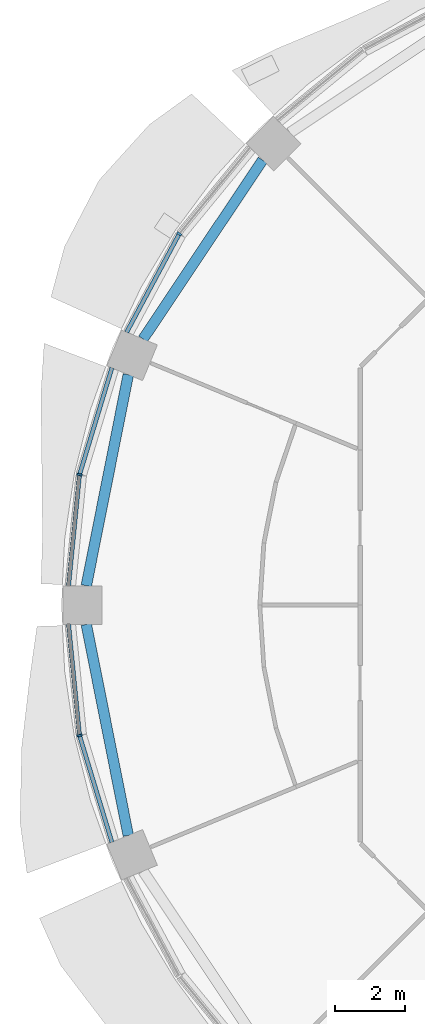
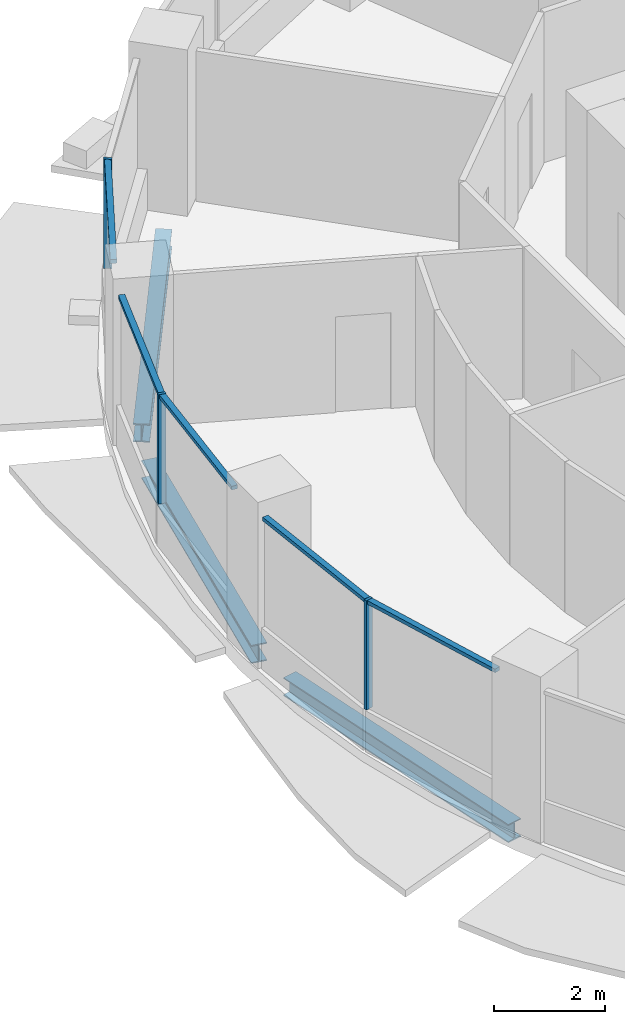
# One storey, part 3 of 14: 8 members, 3 beams, 3 elements without a shape of their own.
"""IFC4 building model written with IfcOpenShell, lengths in metres."""

from ifc_helpers import new_model, si_unit, direction, frame, origin, origin_2d, place, context, subcontext, project, spatial, rectangle, i_section, extrude, material, material_profile, profile_set, type_object, element, aggregate, save


model = new_model("IFC4")

# Units and contexts
model_context = context("Model", 3, precision=1e-05, world=origin(), true_north=direction((0.0, 1.0)))
body_context = subcontext(model_context, "Body", "Model", "MODEL_VIEW")
ifc_project = project(units=[si_unit("LENGTHUNIT", "METRE"), si_unit("AREAUNIT", "SQUARE_METRE"), si_unit("VOLUMEUNIT", "CUBIC_METRE"), si_unit("PLANEANGLEUNIT", "RADIAN"), si_unit("MASSUNIT", "GRAM", prefix="KILO")], contexts=[model_context])

# Site, building, storey
site_placement = place(None, origin())
site = spatial("IfcSite", under=ifc_project, at=site_placement, CompositionType="ELEMENT")
building_placement = place(site_placement, origin())
building = spatial("IfcBuilding", under=site, at=building_placement, Name="Polderwave Tower", CompositionType="ELEMENT")
storey_placement = place(building_placement, frame((0.0, 0.0, 112.89990234375)))
storey = spatial("IfcBuildingStorey", under=building, at=storey_placement, Name="L29", CompositionType="ELEMENT", Elevation=112.89990234375)

# Curtain wall, member
ifc_material_1 = material(Name="Aluminium 6063-T6 and glass", Category="aluminium")
curtain_wall_type = type_object("IfcCurtainWallType", Name="Growing floor ribbon glazing wall", PredefinedType="NOTDEFINED", material=ifc_material_1)
curtain_wall_1_placement = place(storey_placement, origin())
curtain_wall_1 = element("IfcCurtainWall", 1, at=curtain_wall_1_placement, inside=storey, type_object=curtain_wall_type, Name="CW2 L29 06", PredefinedType="NOTDEFINED")
ifc_material_2 = material(Name="Aluminium 6063-T6", Category="aluminium")
ifc_material_profile_1 = material_profile(ifc_material_2, rectangle(XDim=0.14990234375, YDim=0.06005859375, at=origin_2d()), Name="AL 60x150")
ifc_profile_set_1 = profile_set([ifc_material_profile_1], Name="Aluminium 6063-T6")
member_type_1 = type_object("IfcMemberType", Name="Growing floor ribbon glazing mullion 60x150", PredefinedType="MULLION", material=ifc_profile_set_1)
member_1_placement = place(storey_placement, frame((-15.822998046875, 10.572998046875, 0.900146484375), z_axis=(0.0, 0.0, 1.0), x_axis=(0.831459915646, -0.555584744817, 0.0)))
member_1 = element("IfcMember", 2, at=member_1_placement, type_object=member_type_1, Name="CW2 mullion 1", PredefinedType="MULLION", context=body_context, shape_type="SweptSolid", body=[
    extrude(rectangle(XDim=0.14990234375, YDim=0.06005859375, at=origin_2d()), origin(), (0.0, 0.0, 1.0), 2.39990234375),
])

curtain_wall_2_placement = place(storey_placement, origin())
curtain_wall_2 = element("IfcCurtainWall", 3, at=curtain_wall_2_placement, inside=storey, type_object=curtain_wall_type, Name="CW2 L29 07", PredefinedType="NOTDEFINED")
member_2_placement = place(storey_placement, frame((-18.6640625, 3.712890625, 0.900146484375), z_axis=(0.0, 0.0, 1.0), x_axis=(0.980784939905, -0.195092033809, 0.0)))
member_2 = element("IfcMember", 4, at=member_2_placement, type_object=member_type_1, Name="CW2 mullion 1", PredefinedType="MULLION", context=body_context, shape_type="SweptSolid", body=[
    extrude(rectangle(XDim=0.14990234375, YDim=0.06005859375, at=origin_2d()), origin(), (0.0, 0.0, 1.0), 2.39990234375),
])

curtain_wall_3_placement = place(storey_placement, origin())
curtain_wall_3 = element("IfcCurtainWall", 5, at=curtain_wall_3_placement, inside=storey, type_object=curtain_wall_type, Name="CW2 L29 08", PredefinedType="NOTDEFINED")
member_3_placement = place(storey_placement, frame((-18.6640625, -3.712890625, 0.900146484375), z_axis=(0.0, 0.0, 1.0), x_axis=(0.980784939905, 0.195092033809, 0.0)))
member_3 = element("IfcMember", 6, at=member_3_placement, type_object=member_type_1, Name="CW2 mullion 1", PredefinedType="MULLION", context=body_context, shape_type="SweptSolid", body=[
    extrude(rectangle(XDim=0.14990234375, YDim=0.06005859375, at=origin_2d()), origin(), (0.0, 0.0, 1.0), 2.39990234375),
])

# Member
ifc_material_profile_2 = material_profile(ifc_material_2, rectangle(XDim=0.1201171875, YDim=0.080078125, at=origin_2d()), Name="AL 80x120")
ifc_profile_set_2 = profile_set([ifc_material_profile_2], Name="Aluminium 6063-T6")
member_type_2 = type_object("IfcMemberType", Name="Growing floor ribbon glazing transom 80x120", PredefinedType="USERDEFINED", material=ifc_profile_set_2)
member_4_placement = place(storey_placement, frame((-15.837158203125, 10.54638671875, 3.260009765625), z_axis=(-0.471368950997, -0.88193611562, 0.0), x_axis=(0.88193611562, -0.471368950997, 0.0)))
member_4 = element("IfcMember", 7, at=member_4_placement, type_object=member_type_2, Name="CW2 transom 2", ObjectType="TRANSOM", PredefinedType="USERDEFINED", context=body_context, shape_type="SweptSolid", body=[
    extrude(rectangle(XDim=0.1201171875, YDim=0.080078125, at=origin_2d()), origin(), (0.0, 0.0, 1.0), 3.14794921875),
])

aggregate(curtain_wall_1, [member_1, member_4])

member_5_placement = place(storey_placement, frame((-17.741943359375, 6.75390625, 3.260009765625), z_axis=(-0.290164540356, -0.956976770627, 0.0), x_axis=(0.956976770627, -0.290164540356, 0.0)))
member_5 = element("IfcMember", 8, at=member_5_placement, type_object=member_type_2, Name="CW2 transom 1", ObjectType="TRANSOM", PredefinedType="USERDEFINED", context=body_context, shape_type="SweptSolid", body=[
    extrude(rectangle(XDim=0.1201171875, YDim=0.080078125, at=origin_2d()), origin(), (0.0, 0.0, 1.0), 3.147705078125),
])

member_6_placement = place(storey_placement, frame((-18.6669921875, 3.68310546875, 3.260009765625), z_axis=(-0.098175338745, -0.995169132792, 0.0), x_axis=(0.995169132792, -0.098175338745, 0.0)))
member_6 = element("IfcMember", 9, at=member_6_placement, type_object=member_type_2, Name="CW2 transom 2", ObjectType="TRANSOM", PredefinedType="USERDEFINED", context=body_context, shape_type="SweptSolid", body=[
    extrude(rectangle(XDim=0.1201171875, YDim=0.080078125, at=origin_2d()), origin(), (0.0, 0.0, 1.0), 3.148193359375),
])

aggregate(curtain_wall_2, [member_2, member_5, member_6])

member_7_placement = place(storey_placement, frame((-18.97607421875, -0.550048828125, 3.260009765625), z_axis=(0.098175338745, -0.995169132792, 0.0), x_axis=(0.995169132792, 0.098175338745, 0.0)))
member_7 = element("IfcMember", 10, at=member_7_placement, type_object=member_type_2, Name="CW2 transom 1", ObjectType="TRANSOM", PredefinedType="USERDEFINED", context=body_context, shape_type="SweptSolid", body=[
    extrude(rectangle(XDim=0.1201171875, YDim=0.080078125, at=origin_2d()), origin(), (0.0, 0.0, 1.0), 3.148193359375),
])

member_8_placement = place(storey_placement, frame((-18.6552734375, -3.74169921875, 3.260009765625), z_axis=(0.290164540356, -0.956976770627, 0.0), x_axis=(0.956976770627, 0.290164540356, 0.0)))
member_8 = element("IfcMember", 11, at=member_8_placement, type_object=member_type_2, Name="CW2 transom 2", ObjectType="TRANSOM", PredefinedType="USERDEFINED", context=body_context, shape_type="SweptSolid", body=[
    extrude(rectangle(XDim=0.1201171875, YDim=0.080078125, at=origin_2d()), origin(), (0.0, 0.0, 1.0), 3.147705078125),
])

aggregate(curtain_wall_3, [member_3, member_7, member_8])

# Beams
ifc_material_3 = material(Name="Steel S355", Category="steel")
ifc_material_profile_3 = material_profile(ifc_material_3, i_section(OverallWidth=0.300048828125, OverallDepth=0.39990234375, WebThickness=0.013427734375, FlangeThickness=0.02392578125, at=origin_2d()), Name="HE 400 B")
ifc_profile_set_3 = profile_set([ifc_material_profile_3], Name="Steel S355")
beam_type = type_object("IfcBeamType", Name="RING BEAM HE 400 B", PredefinedType="BEAM", material=ifc_profile_set_3)
beam_placement = place(storey_placement, frame((-13.44970703125, 12.671875, -0.5498046875), z_axis=(-0.555554909675, -0.83147985083, 0.0), x_axis=(0.83147985083, -0.555554909675, 0.0)))
element("IfcBeam", 12, at=beam_placement, inside=storey, type_object=beam_type, Name="ST-RB-L29-06", PredefinedType="BEAM", context=body_context, shape_type="SweptSolid", body=[
    extrude(i_section(OverallWidth=0.300048828125, OverallDepth=0.39990234375, WebThickness=0.013427734375, FlangeThickness=0.02392578125, at=origin_2d()), origin(), (0.0, 0.0, 1.0), 6.128173828125),
])
for number, where, z_axis, x_axis, name in (
    (13, (-17.275146484375, 6.560302734375, -0.5498046875), (-0.195097041699, -0.980783943751, 0.0), (0.980783943751, -0.195097041699, 0.0), "ST-RB-L29-07"),
    (14, (-18.470703125, -0.550048828125, -0.5498046875), (0.195097041699, -0.980783943751, 0.0), (0.980783943751, 0.195097041699, 0.0), "ST-RB-L29-08"),
):
    element("IfcBeam", number, at=place(storey_placement, frame(where, z_axis=z_axis, x_axis=x_axis)), inside=storey, type_object=beam_type, Name=name, PredefinedType="BEAM", context=body_context, shape_type="SweptSolid", body=[
        extrude(i_section(OverallWidth=0.300048828125, OverallDepth=0.39990234375, WebThickness=0.013427734375, FlangeThickness=0.02392578125, at=origin_2d()), origin(), (0.0, 0.0, 1.0), 6.1279296875),
    ])

save(model, "model.ifc")
